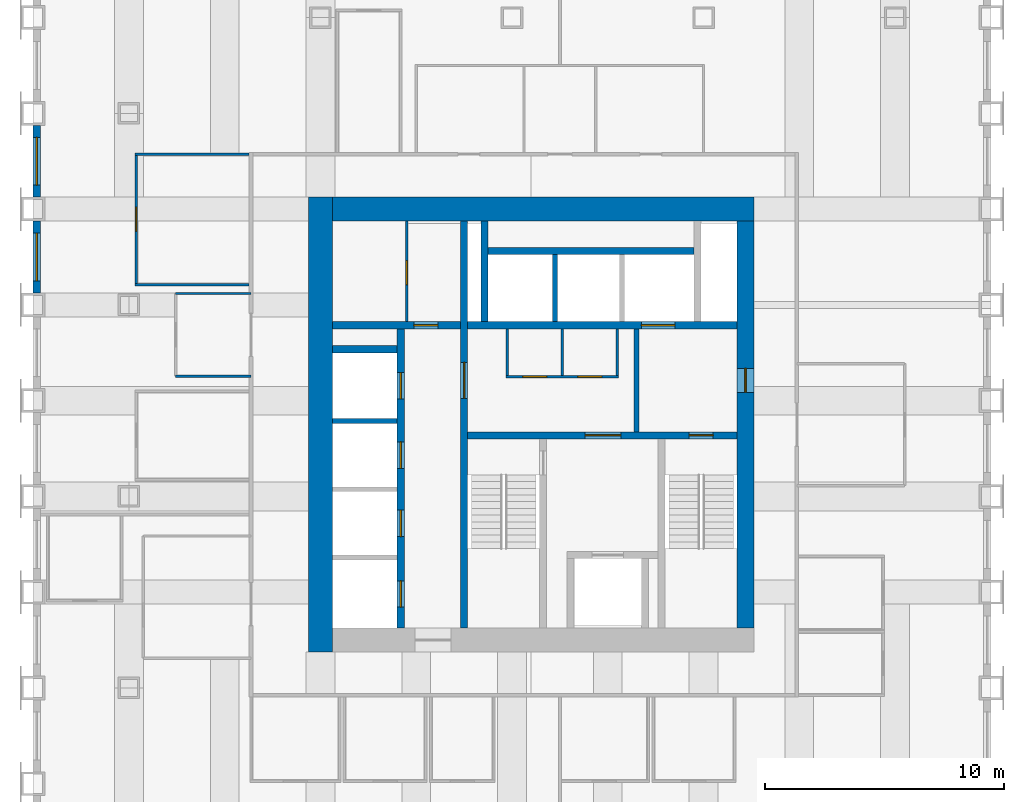
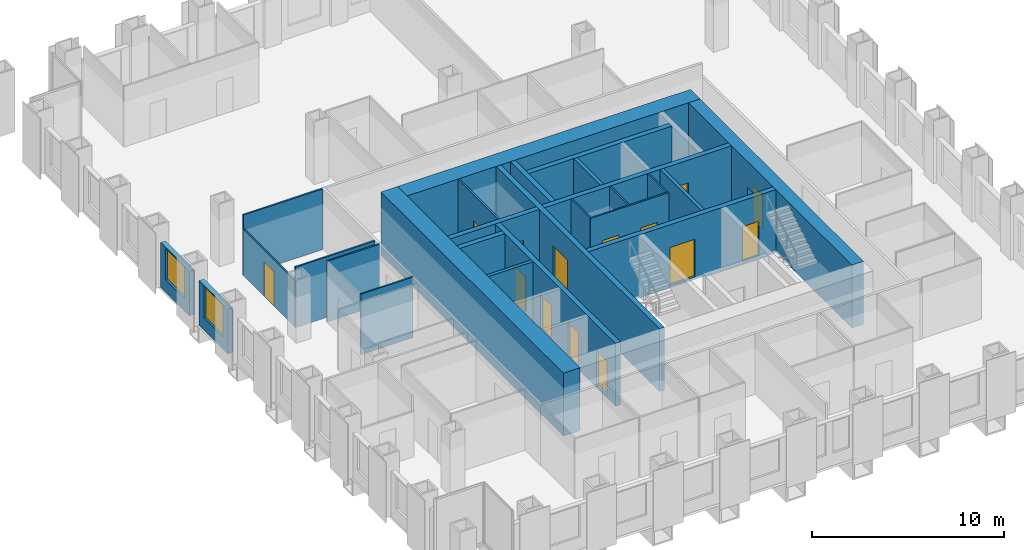
# One storey, part 9 of 13: 26 walls, 14 doors, 2 windows, 16 openings.
"""IFC4 building model written with IfcOpenShell, lengths in metres."""

from ifc_helpers import new_model, si_unit, direction, frame, frame_2d, origin, place, context, subcontext, project, spatial, rectangle, extrude, material, layer, layer_set, type_object, element, fill, save


model = new_model("IFC4")

# Units and contexts
model_context = context("Model", 3, precision=1e-05, world=origin(), true_north=direction((0.0, 1.0)))
body_context = subcontext(model_context, "Body", "Model", "MODEL_VIEW")
ifc_project = project(units=[si_unit("LENGTHUNIT", "METRE"), si_unit("AREAUNIT", "SQUARE_METRE"), si_unit("VOLUMEUNIT", "CUBIC_METRE"), si_unit("PLANEANGLEUNIT", "RADIAN"), si_unit("MASSUNIT", "GRAM", prefix="KILO")], contexts=[model_context])

# Site, building, storey
site_placement = place(None, origin())
site = spatial("IfcSite", under=ifc_project, at=site_placement, CompositionType="ELEMENT")
building_placement = place(site_placement, origin())
building = spatial("IfcBuilding", under=site, at=building_placement, Name="Rimbunsela Tower", CompositionType="ELEMENT")
storey_placement = place(building_placement, frame((0.0, 0.0, 175.800048828125)))
storey = spatial("IfcBuildingStorey", under=building, at=storey_placement, Name="L42", CompositionType="ELEMENT", Elevation=175.800048828125)

# Wall, opening, door
ifc_material_1 = material(Name="Concrete fc' 80 MPa", Category="concrete")
ifc_layer_1 = layer(ifc_material_1, 0.300048828125)
ifc_layer_set_1 = layer_set([ifc_layer_1], Name="Core internal wall 300")
wall_type_1 = type_object("IfcWallType", Name="Core internal wall 300", PredefinedType="SHEAR", material=ifc_layer_set_1)
wall_1_placement = place(storey_placement, frame((24.0, 18.5, -0.150146484375), z_axis=(0.0, 0.0, 1.0), x_axis=(0.0, 1.0, 0.0)))
wall_1 = element("IfcWall", 1, at=wall_1_placement, inside=storey, type_object=wall_type_1, Name="Core wall at stair A", PredefinedType="SHEAR", context=body_context, shape_type="SweptSolid", body=[
    extrude(rectangle(XDim=17.0, YDim=0.300048828125, at=frame_2d((8.5, 0.0))), origin(), (0.0, 0.0, 1.0), 4.0),
])
opening_1_placement = place(wall_1_placement, frame((9.60009765625, 0.0, 0.14990234375)))
opening_1 = element("IfcOpeningElement", 2, at=opening_1_placement, cuts=wall_1, Name="Opening D03", PredefinedType="OPENING", context=body_context, shape_type="SweptSolid", body=[
    extrude(rectangle(XDim=1.5, YDim=2.39990234375, at=frame_2d((0.75, 1.199951171875))), frame((0.0, 0.159912109375, 0.0), z_axis=(0.0, -1.0, 0.0), x_axis=(1.0, 0.0, 0.0)), (0.0, 0.0, 1.0), 0.320068359375),
])
ifc_material_2 = material(Name="Steel door, fire rated", Category="steel")
door_type_1 = type_object("IfcDoorType", Name="Core lobby door 1500", OperationType="DOUBLE_DOOR_DOUBLE_SWING", PredefinedType="DOOR", material=ifc_material_2)
door_1_placement = place(opening_1_placement, origin())
door_1 = element("IfcDoor", 3, at=door_1_placement, inside=storey, type_object=door_type_1, Name="West lobby door", OperationType="DOUBLE_DOOR_DOUBLE_SWING", OverallHeight=2.39990234375, OverallWidth=1.5, PredefinedType="DOOR", context=body_context, shape_type="SweptSolid", body=[
    extrude(rectangle(XDim=1.5, YDim=2.39990234375, at=frame_2d((0.75, 1.199951171875))), frame((0.0, 0.02490234375, 0.0), z_axis=(0.0, -1.0, 0.0), x_axis=(1.0, 0.0, 0.0)), (0.0, 0.0, 1.0), 0.050048828125),
])
fill(opening_1, door_1)

# Wall, openings, doors
wall_2_placement = place(storey_placement, frame((24.14990234375, 26.550048828125, -0.150146484375), z_axis=(0.0, 0.0, 1.0), x_axis=(1.0, 0.0, 0.0)))
wall_2 = element("IfcWall", 4, at=wall_2_placement, inside=storey, type_object=wall_type_1, Name="Core wall lobby south", PredefinedType="SHEAR", context=body_context, shape_type="SweptSolid", body=[
    extrude(rectangle(XDim=11.25, YDim=0.300048828125, at=frame_2d((5.625, 0.0))), origin(), (0.0, 0.0, 1.0), 4.0),
])
opening_2_placement = place(wall_2_placement, frame((9.25, 0.0, 0.14990234375)))
opening_2 = element("IfcOpeningElement", 5, at=opening_2_placement, cuts=wall_2, Name="Opening D01", PredefinedType="OPENING", context=body_context, shape_type="SweptSolid", body=[
    extrude(rectangle(XDim=1.0, YDim=2.199951171875, at=frame_2d((0.5, 1.10009765625))), frame((0.0, 0.159912109375, 0.0), z_axis=(0.0, -1.0, 0.0), x_axis=(1.0, 0.0, 0.0)), (0.0, 0.0, 1.0), 0.320068359375),
])
opening_3_placement = place(wall_2_placement, frame((4.89990234375, 0.0, 0.14990234375)))
opening_3 = element("IfcOpeningElement", 6, at=opening_3_placement, cuts=wall_2, Name="Opening D03", PredefinedType="OPENING", context=body_context, shape_type="SweptSolid", body=[
    extrude(rectangle(XDim=1.5, YDim=2.39990234375, at=frame_2d((0.75, 1.199951171875))), frame((0.0, 0.159912109375, 0.0), z_axis=(0.0, -1.0, 0.0), x_axis=(1.0, 0.0, 0.0)), (0.0, 0.0, 1.0), 0.320068359375),
])
door_2_placement = place(opening_3_placement, origin())
door_2 = element("IfcDoor", 7, at=door_2_placement, inside=storey, type_object=door_type_1, Name="Firefighting lobby door", OperationType="DOUBLE_DOOR_DOUBLE_SWING", OverallHeight=2.39990234375, OverallWidth=1.5, PredefinedType="DOOR", context=body_context, shape_type="SweptSolid", body=[
    extrude(rectangle(XDim=1.5, YDim=2.39990234375, at=frame_2d((0.75, 1.199951171875))), frame((0.0, 0.02490234375, 0.0), z_axis=(0.0, -1.0, 0.0), x_axis=(1.0, 0.0, 0.0)), (0.0, 0.0, 1.0), 0.050048828125),
])
fill(opening_3, door_2)
ifc_material_3 = material(Name="Steel door, fire rated", Category="steel")
door_type_2 = type_object("IfcDoorType", Name="Stair door 1000", OperationType="SINGLE_SWING_RIGHT", PredefinedType="DOOR", material=ifc_material_3)
door_3_placement = place(opening_2_placement, frame((1.0, 0.0, 0.0), z_axis=(0.0, 0.0, 1.0), x_axis=(-1.0, 0.0, 0.0)))
door_3 = element("IfcDoor", 8, at=door_3_placement, inside=storey, type_object=door_type_2, Name="Stair B door", OperationType="SINGLE_SWING_RIGHT", OverallHeight=2.199951171875, OverallWidth=1.0, PredefinedType="DOOR", context=body_context, shape_type="SweptSolid", body=[
    extrude(rectangle(XDim=1.0, YDim=2.199951171875, at=frame_2d((0.5, 1.10009765625))), frame((0.0, 0.02490234375, 0.0), z_axis=(0.0, -1.0, 0.0), x_axis=(1.0, 0.0, 0.0)), (0.0, 0.0, 1.0), 0.050048828125),
])
fill(opening_2, door_3)

# Wall, opening, door
wall_3_placement = place(storey_placement, frame((24.14990234375, 31.14990234375, -0.150146484375), z_axis=(0.0, 0.0, 1.0), x_axis=(1.0, 0.0, 0.0)))
wall_3 = element("IfcWall", 9, at=wall_3_placement, inside=storey, type_object=wall_type_1, Name="Lift shaft front north", PredefinedType="SHEAR", context=body_context, shape_type="SweptSolid", body=[
    extrude(rectangle(XDim=11.25, YDim=0.300048828125, at=frame_2d((5.625, 0.0))), origin(), (0.0, 0.0, 1.0), 4.0),
])
opening_4_placement = place(wall_3_placement, frame((7.25, 0.0, 0.14990234375)))
opening_4 = element("IfcOpeningElement", 10, at=opening_4_placement, cuts=wall_3, Name="Opening LD3", PredefinedType="OPENING", context=body_context, shape_type="SweptSolid", body=[
    extrude(rectangle(XDim=1.39990234375, YDim=2.39990234375, at=frame_2d((0.699951171875, 1.199951171875))), frame((0.0, 0.159912109375, 0.0), z_axis=(0.0, -1.0, 0.0), x_axis=(1.0, 0.0, 0.0)), (0.0, 0.0, 1.0), 0.320068359375),
])
ifc_material_4 = material(Name="Steel door, fire rated", Category="steel")
door_type_3 = type_object("IfcDoorType", Name="Lift landing door 1400", OperationType="DOUBLE_DOOR_SLIDING", PredefinedType="DOOR", material=ifc_material_4)
door_4_placement = place(opening_4_placement, origin())
door_4 = element("IfcDoor", 11, at=door_4_placement, inside=storey, type_object=door_type_3, Name="Lift landing door FL2", OperationType="DOUBLE_DOOR_SLIDING", OverallHeight=2.39990234375, OverallWidth=1.39990234375, PredefinedType="DOOR", context=body_context, shape_type="SweptSolid", body=[
    extrude(rectangle(XDim=1.39990234375, YDim=2.39990234375, at=frame_2d((0.699951171875, 1.199951171875))), frame((0.0, 0.02490234375, 0.0), z_axis=(0.0, -1.0, 0.0), x_axis=(1.0, 0.0, 0.0)), (0.0, 0.0, 1.0), 0.050048828125),
])
fill(opening_4, door_4)

# Wall, openings, doors
wall_4_placement = place(storey_placement, frame((21.35009765625, 18.5, -0.150146484375), z_axis=(0.0, 0.0, 1.0), x_axis=(0.0, 1.0, 0.0)))
wall_4 = element("IfcWall", 12, at=wall_4_placement, inside=storey, type_object=wall_type_1, Name="Lift shaft front west", PredefinedType="SHEAR", context=body_context, shape_type="SweptSolid", body=[
    extrude(rectangle(XDim=12.5, YDim=0.300048828125, at=frame_2d((6.25, 0.0))), origin(), (0.0, 0.0, 1.0), 4.0),
])
opening_5_placement = place(wall_4_placement, frame((0.875, 0.0, 0.14990234375)))
opening_5 = element("IfcOpeningElement", 13, at=opening_5_placement, cuts=wall_4, Name="Opening LD1", PredefinedType="OPENING", context=body_context, shape_type="SweptSolid", body=[
    extrude(rectangle(XDim=1.10009765625, YDim=2.199951171875, at=frame_2d((0.550048828125, 1.10009765625))), frame((0.0, 0.159912109375, 0.0), z_axis=(0.0, -1.0, 0.0), x_axis=(1.0, 0.0, 0.0)), (0.0, 0.0, 1.0), 0.320068359375),
])
opening_6_placement = place(wall_4_placement, frame((3.824951171875, 0.0, 0.14990234375)))
opening_6 = element("IfcOpeningElement", 14, at=opening_6_placement, cuts=wall_4, Name="Opening LD1", PredefinedType="OPENING", context=body_context, shape_type="SweptSolid", body=[
    extrude(rectangle(XDim=1.10009765625, YDim=2.199951171875, at=frame_2d((0.550048828125, 1.10009765625))), frame((0.0, 0.159912109375, 0.0), z_axis=(0.0, -1.0, 0.0), x_axis=(1.0, 0.0, 0.0)), (0.0, 0.0, 1.0), 0.320068359375),
])
opening_7_placement = place(wall_4_placement, frame((6.675048828125, 0.0, 0.14990234375)))
opening_7 = element("IfcOpeningElement", 15, at=opening_7_placement, cuts=wall_4, Name="Opening LD1", PredefinedType="OPENING", context=body_context, shape_type="SweptSolid", body=[
    extrude(rectangle(XDim=1.10009765625, YDim=2.199951171875, at=frame_2d((0.550048828125, 1.10009765625))), frame((0.0, 0.159912109375, 0.0), z_axis=(0.0, -1.0, 0.0), x_axis=(1.0, 0.0, 0.0)), (0.0, 0.0, 1.0), 0.320068359375),
])
opening_8_placement = place(wall_4_placement, frame((9.574951171875, 0.0, 0.14990234375)))
opening_8 = element("IfcOpeningElement", 16, at=opening_8_placement, cuts=wall_4, Name="Opening LD1", PredefinedType="OPENING", context=body_context, shape_type="SweptSolid", body=[
    extrude(rectangle(XDim=1.10009765625, YDim=2.199951171875, at=frame_2d((0.550048828125, 1.10009765625))), frame((0.0, 0.159912109375, 0.0), z_axis=(0.0, -1.0, 0.0), x_axis=(1.0, 0.0, 0.0)), (0.0, 0.0, 1.0), 0.320068359375),
])
ifc_material_5 = material(Name="Steel door, fire rated", Category="steel")
door_type_4 = type_object("IfcDoorType", Name="Lift landing door 1100", OperationType="DOUBLE_DOOR_SLIDING", PredefinedType="DOOR", material=ifc_material_5)
door_5_placement = place(opening_5_placement, origin())
door_5 = element("IfcDoor", 17, at=door_5_placement, inside=storey, type_object=door_type_4, Name="Lift landing door HL1", OperationType="DOUBLE_DOOR_SLIDING", OverallHeight=2.199951171875, OverallWidth=1.10009765625, PredefinedType="DOOR", context=body_context, shape_type="SweptSolid", body=[
    extrude(rectangle(XDim=1.10009765625, YDim=2.199951171875, at=frame_2d((0.550048828125, 1.10009765625))), frame((0.0, 0.02490234375, 0.0), z_axis=(0.0, -1.0, 0.0), x_axis=(1.0, 0.0, 0.0)), (0.0, 0.0, 1.0), 0.050048828125),
])
fill(opening_5, door_5)
door_6_placement = place(opening_6_placement, origin())
door_6 = element("IfcDoor", 18, at=door_6_placement, inside=storey, type_object=door_type_4, Name="Lift landing door HL2", OperationType="DOUBLE_DOOR_SLIDING", OverallHeight=2.199951171875, OverallWidth=1.10009765625, PredefinedType="DOOR", context=body_context, shape_type="SweptSolid", body=[
    extrude(rectangle(XDim=1.10009765625, YDim=2.199951171875, at=frame_2d((0.550048828125, 1.10009765625))), frame((0.0, 0.02490234375, 0.0), z_axis=(0.0, -1.0, 0.0), x_axis=(1.0, 0.0, 0.0)), (0.0, 0.0, 1.0), 0.050048828125),
])
fill(opening_6, door_6)
door_7_placement = place(opening_7_placement, origin())
door_7 = element("IfcDoor", 19, at=door_7_placement, inside=storey, type_object=door_type_4, Name="Lift landing door HL3", OperationType="DOUBLE_DOOR_SLIDING", OverallHeight=2.199951171875, OverallWidth=1.10009765625, PredefinedType="DOOR", context=body_context, shape_type="SweptSolid", body=[
    extrude(rectangle(XDim=1.10009765625, YDim=2.199951171875, at=frame_2d((0.550048828125, 1.10009765625))), frame((0.0, 0.02490234375, 0.0), z_axis=(0.0, -1.0, 0.0), x_axis=(1.0, 0.0, 0.0)), (0.0, 0.0, 1.0), 0.050048828125),
])
fill(opening_7, door_7)
door_8_placement = place(opening_8_placement, origin())
door_8 = element("IfcDoor", 20, at=door_8_placement, inside=storey, type_object=door_type_4, Name="Lift landing door HL4", OperationType="DOUBLE_DOOR_SLIDING", OverallHeight=2.199951171875, OverallWidth=1.10009765625, PredefinedType="DOOR", context=body_context, shape_type="SweptSolid", body=[
    extrude(rectangle(XDim=1.10009765625, YDim=2.199951171875, at=frame_2d((0.550048828125, 1.10009765625))), frame((0.0, 0.02490234375, 0.0), z_axis=(0.0, -1.0, 0.0), x_axis=(1.0, 0.0, 0.0)), (0.0, 0.0, 1.0), 0.050048828125),
])
fill(opening_8, door_8)

# Wall, opening, door
wall_5_placement = place(storey_placement, frame((18.5, 31.14990234375, -0.150146484375), z_axis=(0.0, 0.0, 1.0), x_axis=(1.0, 0.0, 0.0)))
wall_5 = element("IfcWall", 21, at=wall_5_placement, inside=storey, type_object=wall_type_1, Name="Store wall", PredefinedType="SHEAR", context=body_context, shape_type="SweptSolid", body=[
    extrude(rectangle(XDim=5.35009765625, YDim=0.300048828125, at=frame_2d((2.675048828125, 0.0))), origin(), (0.0, 0.0, 1.0), 4.0),
])
opening_9_placement = place(wall_5_placement, frame((3.39990234375, 0.0, 0.14990234375)))
opening_9 = element("IfcOpeningElement", 22, at=opening_9_placement, cuts=wall_5, Name="Opening D19", PredefinedType="OPENING", context=body_context, shape_type="SweptSolid", body=[
    extrude(rectangle(XDim=1.0, YDim=2.199951171875, at=frame_2d((0.5, 1.10009765625))), frame((0.0, 0.159912109375, 0.0), z_axis=(0.0, -1.0, 0.0), x_axis=(1.0, 0.0, 0.0)), (0.0, 0.0, 1.0), 0.320068359375),
])
ifc_material_6 = material(Name="Steel door, fire rated", Category="steel")
door_type_5 = type_object("IfcDoorType", Name="Service door 1000 fire rated", OperationType="SINGLE_SWING_LEFT", PredefinedType="DOOR", material=ifc_material_6)
door_9_placement = place(opening_9_placement, origin())
door_9 = element("IfcDoor", 23, at=door_9_placement, inside=storey, type_object=door_type_5, Name="Staff pantry door", OperationType="SINGLE_SWING_LEFT", OverallHeight=2.199951171875, OverallWidth=1.0, PredefinedType="DOOR", context=body_context, shape_type="SweptSolid", body=[
    extrude(rectangle(XDim=1.0, YDim=2.199951171875, at=frame_2d((0.5, 1.10009765625))), frame((0.0, 0.02490234375, 0.0), z_axis=(0.0, -1.0, 0.0), x_axis=(1.0, 0.0, 0.0)), (0.0, 0.0, 1.0), 0.050048828125),
])
fill(opening_9, door_9)

# Walls
wall_6_placement = place(storey_placement, frame((18.5, 30.14990234375, -0.150146484375), z_axis=(0.0, 0.0, 1.0), x_axis=(1.0, 0.0, 0.0)))
element("IfcWall", 24, at=wall_6_placement, inside=storey, type_object=wall_type_1, Name="Lift shaft rear west", PredefinedType="SHEAR", context=body_context, shape_type="SweptSolid", body=[
    extrude(rectangle(XDim=2.699951171875, YDim=0.300048828125, at=frame_2d((1.35009765625, 0.0))), origin(), (0.0, 0.0, 1.0), 4.0),
])
wall_7_placement = place(storey_placement, frame((24.85009765625, 31.300048828125, -0.150146484375), z_axis=(0.0, 0.0, 1.0), x_axis=(0.0, 1.0, 0.0)))
element("IfcWall", 25, at=wall_7_placement, inside=storey, type_object=wall_type_1, Name="Riser wall", PredefinedType="SHEAR", context=body_context, shape_type="SweptSolid", body=[
    extrude(rectangle(XDim=4.199951171875, YDim=0.300048828125, at=frame_2d((2.10009765625, 0.0))), origin(), (0.0, 0.0, 1.0), 4.0),
])
wall_8_placement = place(storey_placement, frame((25.0, 34.25, -0.150146484375), z_axis=(0.0, 0.0, 1.0), x_axis=(1.0, 0.0, 0.0)))
element("IfcWall", 26, at=wall_8_placement, inside=storey, type_object=wall_type_1, Name="Lift shaft rear north", PredefinedType="SHEAR", context=body_context, shape_type="SweptSolid", body=[
    extrude(rectangle(XDim=8.60009765625, YDim=0.300048828125, at=frame_2d((4.300048828125, 0.0))), origin(), (0.0, 0.0, 1.0), 4.0),
])

# Wall, opening, door
ifc_material_7 = material(Name="Concrete blockwork", Category="masonry")
ifc_layer_2 = layer(ifc_material_7, 0.10009765625)
ifc_layer_set_2 = layer_set([ifc_layer_2], Name="Core room partition 100")
wall_type_2 = type_object("IfcWallType", Name="Core room partition 100", PredefinedType="PARTITIONING", material=ifc_layer_set_2)
wall_9_placement = place(storey_placement, frame((21.60009765625, 31.300048828125, 0.0), z_axis=(0.0, 0.0, 1.0), x_axis=(0.0, 1.0, 0.0)))
wall_9 = element("IfcWall", 27, at=wall_9_placement, inside=storey, type_object=wall_type_2, Name="Equipment store wall", PredefinedType="PARTITIONING", context=body_context, shape_type="SweptSolid", body=[
    extrude(rectangle(XDim=4.199951171875, YDim=0.10009765625, at=frame_2d((2.10009765625, 0.0))), origin(), (0.0, 0.0, 1.0), 3.849853515625),
])
opening_10_placement = place(wall_9_placement, frame((1.550048828125, 0.0, 0.0)))
opening_10 = element("IfcOpeningElement", 28, at=opening_10_placement, cuts=wall_9, Name="Opening D19", PredefinedType="OPENING", context=body_context, shape_type="SweptSolid", body=[
    extrude(rectangle(XDim=1.0, YDim=2.199951171875, at=frame_2d((0.5, 1.10009765625))), frame((0.0, 0.06005859375, 0.0), z_axis=(0.0, -1.0, 0.0), x_axis=(1.0, 0.0, 0.0)), (0.0, 0.0, 1.0), 0.1201171875),
])
door_10_placement = place(opening_10_placement, origin())
door_10 = element("IfcDoor", 29, at=door_10_placement, inside=storey, type_object=door_type_5, Name="Equipment store door", OperationType="SINGLE_SWING_LEFT", OverallHeight=2.199951171875, OverallWidth=1.0, PredefinedType="DOOR", context=body_context, shape_type="SweptSolid", body=[
    extrude(rectangle(XDim=1.0, YDim=2.199951171875, at=frame_2d((0.5, 1.10009765625))), frame((0.0, 0.02490234375, 0.0), z_axis=(0.0, -1.0, 0.0), x_axis=(1.0, 0.0, 0.0)), (0.0, 0.0, 1.0), 0.050048828125),
])
fill(opening_10, door_10)

# Wall, openings, doors
wall_10_placement = place(storey_placement, frame((25.75, 29.0, 0.0), z_axis=(0.0, 0.0, 1.0), x_axis=(1.0, 0.0, 0.0)))
wall_10 = element("IfcWall", 30, at=wall_10_placement, inside=storey, type_object=wall_type_2, Name="Lobby room wall", PredefinedType="PARTITIONING", context=body_context, shape_type="SweptSolid", body=[
    extrude(rectangle(XDim=4.699951171875, YDim=0.10009765625, at=frame_2d((2.35009765625, 0.0))), origin(), (0.0, 0.0, 1.0), 3.849853515625),
])
opening_11_placement = place(wall_10_placement, frame((0.699951171875, 0.0, 0.0)))
opening_11 = element("IfcOpeningElement", 31, at=opening_11_placement, cuts=wall_10, Name="Opening D19", PredefinedType="OPENING", context=body_context, shape_type="SweptSolid", body=[
    extrude(rectangle(XDim=1.0, YDim=2.199951171875, at=frame_2d((0.5, 1.10009765625))), frame((0.0, 0.06005859375, 0.0), z_axis=(0.0, -1.0, 0.0), x_axis=(1.0, 0.0, 0.0)), (0.0, 0.0, 1.0), 0.1201171875),
])
opening_12_placement = place(wall_10_placement, frame((3.0, 0.0, 0.0)))
opening_12 = element("IfcOpeningElement", 32, at=opening_12_placement, cuts=wall_10, Name="Opening D19", PredefinedType="OPENING", context=body_context, shape_type="SweptSolid", body=[
    extrude(rectangle(XDim=1.0, YDim=2.199951171875, at=frame_2d((0.5, 1.10009765625))), frame((0.0, 0.06005859375, 0.0), z_axis=(0.0, -1.0, 0.0), x_axis=(1.0, 0.0, 0.0)), (0.0, 0.0, 1.0), 0.1201171875),
])
door_11_placement = place(opening_11_placement, origin())
door_11 = element("IfcDoor", 33, at=door_11_placement, inside=storey, type_object=door_type_5, Name="Staff WC door", OperationType="SINGLE_SWING_LEFT", OverallHeight=2.199951171875, OverallWidth=1.0, PredefinedType="DOOR", context=body_context, shape_type="SweptSolid", body=[
    extrude(rectangle(XDim=1.0, YDim=2.199951171875, at=frame_2d((0.5, 1.10009765625))), frame((0.0, 0.02490234375, 0.0), z_axis=(0.0, -1.0, 0.0), x_axis=(1.0, 0.0, 0.0)), (0.0, 0.0, 1.0), 0.050048828125),
])
fill(opening_11, door_11)
door_12_placement = place(opening_12_placement, origin())
door_12 = element("IfcDoor", 34, at=door_12_placement, inside=storey, type_object=door_type_5, Name="Cleaners store door", OperationType="SINGLE_SWING_LEFT", OverallHeight=2.199951171875, OverallWidth=1.0, PredefinedType="DOOR", context=body_context, shape_type="SweptSolid", body=[
    extrude(rectangle(XDim=1.0, YDim=2.199951171875, at=frame_2d((0.5, 1.10009765625))), frame((0.0, 0.02490234375, 0.0), z_axis=(0.0, -1.0, 0.0), x_axis=(1.0, 0.0, 0.0)), (0.0, 0.0, 1.0), 0.050048828125),
])
fill(opening_12, door_12)

# Walls
for number, where, z_axis, x_axis, name in (
    (35, (25.800048828125, 29.050048828125, 0.0), (0.0, 0.0, 1.0), (0.0, 1.0, 0.0), "Lobby room wall"),
    (36, (30.39990234375, 29.050048828125, 0.0), (0.0, 0.0, 1.0), (0.0, 1.0, 0.0), "Lobby room wall"),
    (37, (28.10009765625, 29.050048828125, 0.0), (0.0, 0.0, 1.0), (0.0, 1.0, 0.0), "Lobby room wall"),
):
    element("IfcWall", number, at=place(storey_placement, frame(where, z_axis=z_axis, x_axis=x_axis)), inside=storey, type_object=wall_type_2, Name=name, PredefinedType="PARTITIONING", context=body_context, shape_type="SweptSolid", body=[
        extrude(rectangle(XDim=1.949951171875, YDim=0.10009765625, at=frame_2d((0.97509765625, 0.0))), origin(), (0.0, 0.0, 1.0), 3.849853515625),
    ])
ifc_material_8 = material(Name="Concrete fc' 80 MPa", Category="concrete")
ifc_layer_3 = layer(ifc_material_8, 1.0)
ifc_layer_set_3 = layer_set([ifc_layer_3], Name="Core wall 1000")
wall_type_3 = type_object("IfcWallType", Name="Core wall 1000", PredefinedType="SHEAR", material=ifc_layer_set_3)
wall_11_placement = place(storey_placement, frame((18.0, 17.5, -0.150146484375), z_axis=(0.0, 0.0, 1.0), x_axis=(0.0, 1.0, 0.0)))
element("IfcWall", 38, at=wall_11_placement, inside=storey, type_object=wall_type_3, Name="Core wall west", PredefinedType="SHEAR", context=body_context, shape_type="SweptSolid", body=[
    extrude(rectangle(XDim=19.0, YDim=1.0, at=frame_2d((9.5, 0.0))), origin(), (0.0, 0.0, 1.0), 4.0),
])
wall_12_placement = place(storey_placement, frame((18.5, 36.0, -0.150146484375), z_axis=(0.0, 0.0, 1.0), x_axis=(1.0, 0.0, 0.0)))
element("IfcWall", 39, at=wall_12_placement, inside=storey, type_object=wall_type_3, Name="Core wall north", PredefinedType="SHEAR", context=body_context, shape_type="SweptSolid", body=[
    extrude(rectangle(XDim=17.60009765625, YDim=1.0, at=frame_2d((8.800048828125, 0.0))), origin(), (0.0, 0.0, 1.0), 4.0),
])

# Wall, opening, door
ifc_material_9 = material(Name="Concrete fc' 80 MPa", Category="concrete")
ifc_layer_4 = layer(ifc_material_9, 0.699951171875)
ifc_layer_set_4 = layer_set([ifc_layer_4], Name="Core wall 700 east")
wall_type_4 = type_object("IfcWallType", Name="Core wall 700 east", PredefinedType="SHEAR", material=ifc_layer_set_4)
wall_13_placement = place(storey_placement, frame((35.75, 18.5, -0.150146484375), z_axis=(0.0, 0.0, 1.0), x_axis=(0.0, 1.0, 0.0)))
wall_13 = element("IfcWall", 40, at=wall_13_placement, inside=storey, type_object=wall_type_4, Name="Core wall east", PredefinedType="SHEAR", context=body_context, shape_type="SweptSolid", body=[
    extrude(rectangle(XDim=17.0, YDim=0.699951171875, at=frame_2d((8.5, 0.0))), origin(), (0.0, 0.0, 1.0), 4.0),
])
opening_13_placement = place(wall_13_placement, frame((9.85009765625, 0.0, 0.14990234375)))
opening_13 = element("IfcOpeningElement", 41, at=opening_13_placement, cuts=wall_13, Name="Opening D01", PredefinedType="OPENING", context=body_context, shape_type="SweptSolid", body=[
    extrude(rectangle(XDim=1.0, YDim=2.199951171875, at=frame_2d((0.5, 1.10009765625))), frame((0.0, 0.35986328125, 0.0), z_axis=(0.0, -1.0, 0.0), x_axis=(1.0, 0.0, 0.0)), (0.0, 0.0, 1.0), 0.719970703125),
])
door_13_placement = place(opening_13_placement, origin())
door_13 = element("IfcDoor", 42, at=door_13_placement, inside=storey, type_object=door_type_2, Name="Firefighting lobby 2 door", OperationType="SINGLE_SWING_RIGHT", OverallHeight=2.199951171875, OverallWidth=1.0, PredefinedType="DOOR", context=body_context, shape_type="SweptSolid", body=[
    extrude(rectangle(XDim=1.0, YDim=2.199951171875, at=frame_2d((0.5, 1.10009765625))), frame((0.0, 0.02490234375, 0.0), z_axis=(0.0, -1.0, 0.0), x_axis=(1.0, 0.0, 0.0)), (0.0, 0.0, 1.0), 0.050048828125),
])
fill(opening_13, door_13)

# Walls
ifc_material_10 = material(Name="Concrete blockwork", Category="masonry")
ifc_layer_5 = layer(ifc_material_10, 0.199951171875)
ifc_layer_set_5 = layer_set([ifc_layer_5], Name="Lift shaft wall 200")
wall_type_5 = type_object("IfcWallType", Name="Lift shaft wall 200", PredefinedType="SOLIDWALL", material=ifc_layer_set_5)
wall_14_placement = place(storey_placement, frame((27.800048828125, 31.300048828125, -0.150146484375), z_axis=(0.0, 0.0, 1.0), x_axis=(0.0, 1.0, 0.0)))
element("IfcWall", 43, at=wall_14_placement, inside=storey, type_object=wall_type_5, Name="Lift shaft separation", PredefinedType="SOLIDWALL", context=body_context, shape_type="SweptSolid", body=[
    extrude(rectangle(XDim=2.800048828125, YDim=0.199951171875, at=frame_2d((1.39990234375, 0.0))), origin(), (0.0, 0.0, 1.0), 4.0),
])
wall_15_placement = place(storey_placement, frame((18.5, 27.14990234375, -0.150146484375), z_axis=(0.0, 0.0, 1.0), x_axis=(1.0, 0.0, 0.0)))
element("IfcWall", 44, at=wall_15_placement, inside=storey, type_object=wall_type_5, Name="Lift shaft separation", PredefinedType="SOLIDWALL", context=body_context, shape_type="SweptSolid", body=[
    extrude(rectangle(XDim=2.699951171875, YDim=0.199951171875, at=frame_2d((1.35009765625, 0.0))), origin(), (0.0, 0.0, 1.0), 4.0),
])
wall_16_placement = place(storey_placement, frame((31.199951171875, 26.699951171875, 0.0), z_axis=(0.0, 0.0, 1.0), x_axis=(0.0, 1.0, 0.0)))
element("IfcWall", 45, at=wall_16_placement, inside=storey, type_object=wall_type_5, Name="Firefighting lobby 2 wall", PredefinedType="SOLIDWALL", context=body_context, shape_type="SweptSolid", body=[
    extrude(rectangle(XDim=4.300048828125, YDim=0.199951171875, at=frame_2d((2.14990234375, 0.0))), origin(), (0.0, 0.0, 1.0), 3.849853515625),
])
ifc_material_11 = material(Name="Gypsum board on steel studs", Category="steel")
ifc_layer_6 = layer(ifc_material_11, 0.10009765625)
ifc_layer_set_6 = layer_set([ifc_layer_6], Name="Office partition 100")
wall_type_6 = type_object("IfcWallType", Name="Office partition 100", PredefinedType="PARTITIONING", material=ifc_layer_set_6)
for number, where, z_axis, x_axis, name in (
    (46, (10.25, 32.85009765625, 0.0), (0.0, 0.0, 1.0), (1.0, 0.0, 0.0), "Office partition"),
    (47, (10.25, 38.300048828125, 0.0), (0.0, 0.0, 1.0), (1.0, 0.0, 0.0), "Office partition"),
):
    element("IfcWall", number, at=place(storey_placement, frame(where, z_axis=z_axis, x_axis=x_axis)), inside=storey, type_object=wall_type_6, Name=name, PredefinedType="PARTITIONING", context=body_context, shape_type="SweptSolid", body=[
        extrude(rectangle(XDim=4.77490234375, YDim=0.10009765625, at=frame_2d((2.387451171875, 0.0))), origin(), (0.0, 0.0, 1.0), 3.849853515625),
    ])

# Wall, opening, door
wall_17_placement = place(storey_placement, frame((10.300048828125, 32.89990234375, 0.0), z_axis=(0.0, 0.0, 1.0), x_axis=(0.0, 1.0, 0.0)))
wall_17 = element("IfcWall", 48, at=wall_17_placement, inside=storey, type_object=wall_type_6, Name="Office partition", PredefinedType="PARTITIONING", context=body_context, shape_type="SweptSolid", body=[
    extrude(rectangle(XDim=5.35009765625, YDim=0.10009765625, at=frame_2d((2.675048828125, 0.0))), origin(), (0.0, 0.0, 1.0), 2.949951171875),
])
opening_14_placement = place(wall_17_placement, frame((2.175048828125, 0.0, 0.0)))
opening_14 = element("IfcOpeningElement", 49, at=opening_14_placement, cuts=wall_17, Name="Opening D16", PredefinedType="OPENING", context=body_context, shape_type="SweptSolid", body=[
    extrude(rectangle(XDim=1.0, YDim=2.199951171875, at=frame_2d((0.5, 1.10009765625))), frame((0.0, 0.06005859375, 0.0), z_axis=(0.0, -1.0, 0.0), x_axis=(1.0, 0.0, 0.0)), (0.0, 0.0, 1.0), 0.1201171875),
])
ifc_material_12 = material(Name="Timber door", Category="wood")
door_type_6 = type_object("IfcDoorType", Name="Office door 1000", OperationType="SINGLE_SWING_LEFT", PredefinedType="DOOR", material=ifc_material_12)
door_14_placement = place(opening_14_placement, origin())
door_14 = element("IfcDoor", 50, at=door_14_placement, inside=storey, type_object=door_type_6, Name="Office door", OperationType="SINGLE_SWING_LEFT", OverallHeight=2.199951171875, OverallWidth=1.0, PredefinedType="DOOR", context=body_context, shape_type="SweptSolid", body=[
    extrude(rectangle(XDim=1.0, YDim=2.199951171875, at=frame_2d((0.5, 1.10009765625))), frame((0.0, 0.02490234375, 0.0), z_axis=(0.0, -1.0, 0.0), x_axis=(1.0, 0.0, 0.0)), (0.0, 0.0, 1.0), 0.050048828125),
])
fill(opening_14, door_14)

# Walls
for number, where, z_axis, x_axis, name in (
    (51, (15.10009765625, 32.47509765625, 0.0), (0.0, 0.0, 1.0), (-1.0, 0.0, 0.0), "Office partition"),
    (52, (11.949951171875, 29.02490234375, 0.0), (0.0, 0.0, 1.0), (1.0, 0.0, 0.0), "Office partition"),
):
    element("IfcWall", number, at=place(storey_placement, frame(where, z_axis=z_axis, x_axis=x_axis)), inside=storey, type_object=wall_type_6, Name=name, PredefinedType="PARTITIONING", context=body_context, shape_type="SweptSolid", body=[
        extrude(rectangle(XDim=3.150146484375, YDim=0.10009765625, at=frame_2d((1.5751953125, 0.0))), origin(), (0.0, 0.0, 1.0), 3.849853515625),
    ])

# Wall, opening, window
ifc_material_13 = material(Name="Precast concrete fc' 35 MPa", Category="concrete")
ifc_layer_7 = layer(ifc_material_13, 0.300048828125)
ifc_layer_set_7 = layer_set([ifc_layer_7], Name="Precast concrete fc' 35 MPa")
wall_type_7 = type_object("IfcWallType", Name="Precast facade panel 300", PredefinedType="ELEMENTEDWALL", material=ifc_layer_set_7)
wall_18_placement = place(storey_placement, frame((6.14990234375, 35.5, 0.0), z_axis=(0.0, 0.0, 1.0), x_axis=(0.0, -1.0, 0.0)))
wall_18 = element("IfcWall", 53, at=wall_18_placement, inside=storey, type_object=wall_type_7, Name="Facade panel W L42", PredefinedType="ELEMENTEDWALL", context=body_context, shape_type="SweptSolid", body=[
    extrude(rectangle(XDim=3.0, YDim=0.300048828125, at=frame_2d((1.5, 0.0))), origin(), (0.0, 0.0, 1.0), 2.849853515625),
])
opening_15_placement = place(wall_18_placement, frame((0.5, 0.0, 0.800048828125)))
opening_15 = element("IfcOpeningElement", 54, at=opening_15_placement, cuts=wall_18, Name="Opening W1", PredefinedType="OPENING", context=body_context, shape_type="SweptSolid", body=[
    extrude(rectangle(XDim=2.0, YDim=2.0, at=frame_2d((1.0, 1.0))), frame((0.0, 0.159912109375, 0.0), z_axis=(0.0, -1.0, 0.0), x_axis=(1.0, 0.0, 0.0)), (0.0, 0.0, 1.0), 0.320068359375),
])
ifc_material_14 = material(Name="Clear glass in aluminium frame", Category="aluminium")
window_type = type_object("IfcWindowType", Name="Window W1 2000x2000", PartitioningType="DOUBLE_PANEL_VERTICAL", PredefinedType="WINDOW", material=ifc_material_14)
window_1_placement = place(opening_15_placement, origin())
window_1 = element("IfcWindow", 55, at=window_1_placement, inside=storey, type_object=window_type, Name="Window L42", OverallHeight=2.0, OverallWidth=2.0, PartitioningType="SINGLE_PANEL", PredefinedType="WINDOW", context=body_context, shape_type="SweptSolid", body=[
    extrude(rectangle(XDim=2.0, YDim=2.0, at=frame_2d((1.0, 1.0))), frame((0.0, 0.030029296875, 0.0), z_axis=(0.0, -1.0, 0.0), x_axis=(1.0, 0.0, 0.0)), (0.0, 0.0, 1.0), 0.06005859375),
])
fill(opening_15, window_1)

wall_19_placement = place(storey_placement, frame((6.14990234375, 39.5, 0.0), z_axis=(0.0, 0.0, 1.0), x_axis=(0.0, -1.0, 0.0)))
wall_19 = element("IfcWall", 56, at=wall_19_placement, inside=storey, type_object=wall_type_7, Name="Facade panel W L42", PredefinedType="ELEMENTEDWALL", context=body_context, shape_type="SweptSolid", body=[
    extrude(rectangle(XDim=3.0, YDim=0.300048828125, at=frame_2d((1.5, 0.0))), origin(), (0.0, 0.0, 1.0), 2.849853515625),
])
opening_16_placement = place(wall_19_placement, frame((0.5, 0.0, 0.800048828125)))
opening_16 = element("IfcOpeningElement", 57, at=opening_16_placement, cuts=wall_19, Name="Opening W1", PredefinedType="OPENING", context=body_context, shape_type="SweptSolid", body=[
    extrude(rectangle(XDim=2.0, YDim=2.0, at=frame_2d((1.0, 1.0))), frame((0.0, 0.159912109375, 0.0), z_axis=(0.0, -1.0, 0.0), x_axis=(1.0, 0.0, 0.0)), (0.0, 0.0, 1.0), 0.320068359375),
])
window_2_placement = place(opening_16_placement, origin())
window_2 = element("IfcWindow", 58, at=window_2_placement, inside=storey, type_object=window_type, Name="Window L42", OverallHeight=2.0, OverallWidth=2.0, PartitioningType="SINGLE_PANEL", PredefinedType="WINDOW", context=body_context, shape_type="SweptSolid", body=[
    extrude(rectangle(XDim=2.0, YDim=2.0, at=frame_2d((1.0, 1.0))), frame((0.0, 0.030029296875, 0.0), z_axis=(0.0, -1.0, 0.0), x_axis=(1.0, 0.0, 0.0)), (0.0, 0.0, 1.0), 0.06005859375),
])
fill(opening_16, window_2)

save(model, "model.ifc")
